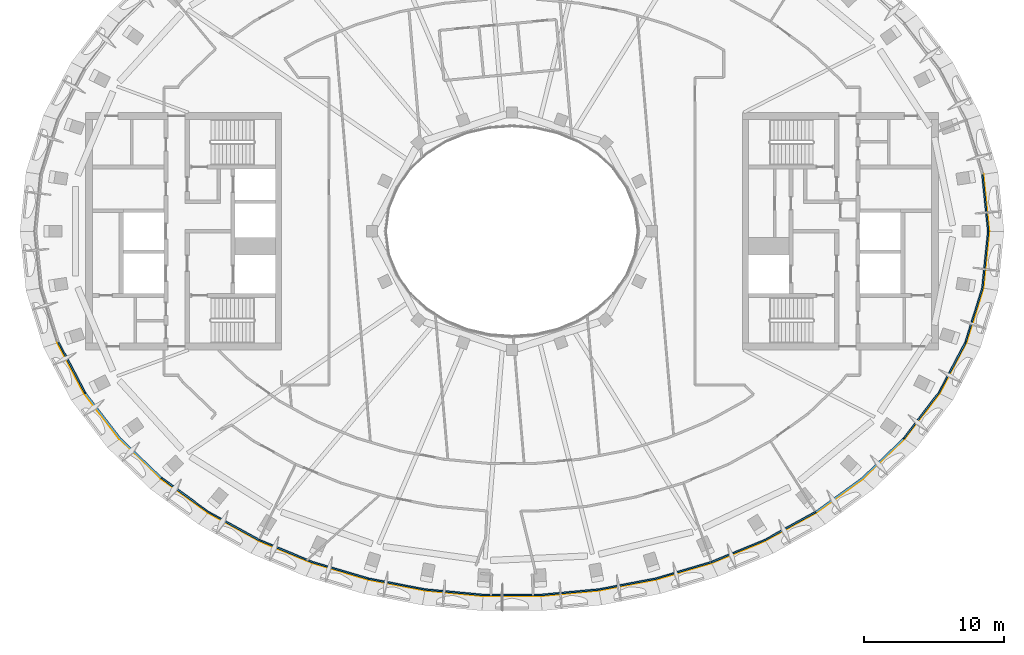
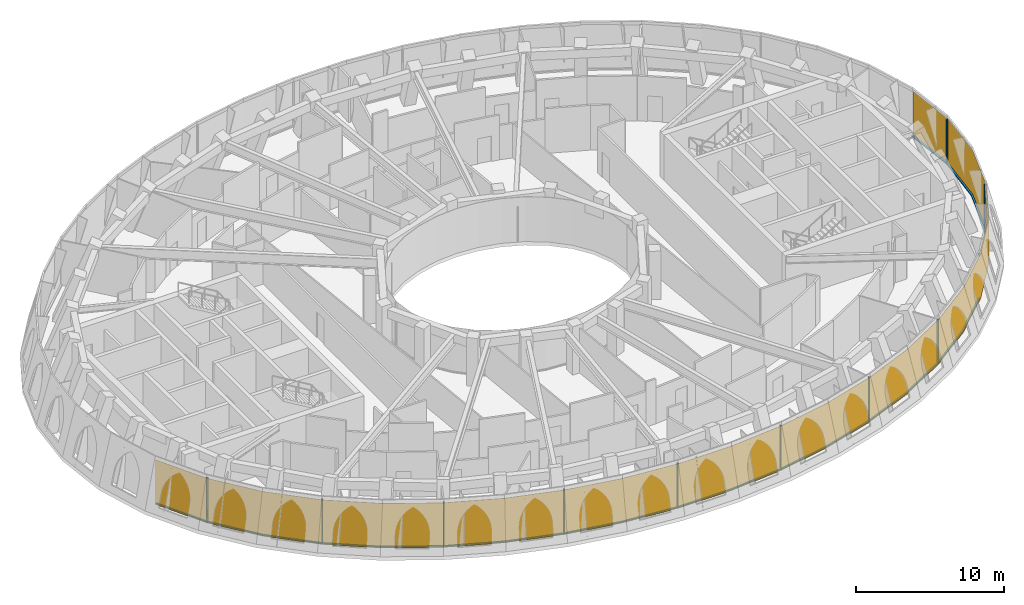
# One storey, part 8 of 14: 23 members, 1 curtain wall.
"""IFC4 building model written with IfcOpenShell, lengths in metres."""

from ifc_helpers import new_model, si_unit, direction, frame, origin, origin_2d, place, context, subcontext, project, spatial, polyline, rectangle, outline, extrude, material, layer, layer_set, material_profile, profile_set, type_object, element, aggregate, save


model = new_model("IFC4")

# Units and contexts
model_context = context("Model", 3, precision=1e-05, world=origin(), true_north=direction((0.0, 1.0)))
body_context = subcontext(model_context, "Body", "Model", "MODEL_VIEW")
ifc_project = project(units=[si_unit("LENGTHUNIT", "METRE"), si_unit("AREAUNIT", "SQUARE_METRE"), si_unit("VOLUMEUNIT", "CUBIC_METRE"), si_unit("PLANEANGLEUNIT", "RADIAN"), si_unit("MASSUNIT", "GRAM", prefix="KILO")], contexts=[model_context])

# Member
ifc_material_1 = material(Name="Aluminium 6063-T6 black anodised", Category="aluminium")
ifc_material_profile = material_profile(ifc_material_1, rectangle(XDim=0.1201171875, YDim=0.06005859375, at=origin_2d()), Name="120x60")
ifc_profile_set = profile_set([ifc_material_profile], Name="Aluminium 6063-T6 black anodised")
member_type_1 = type_object("IfcMemberType", Name="ENV-MULLION-H-120", PredefinedType="MULLION", material=ifc_profile_set)
site_placement = place(None, origin())
building_placement = place(site_placement, origin())
storey_placement = place(building_placement, frame((0.0, 0.0, 339.0)))
member_1_placement = place(storey_placement, frame((-30.527099609375, -11.566650390625, 0.0), z_axis=(0.0, 0.0, 1.0), x_axis=(0.841094622177, 0.540888007396, 0.0)))
member_1 = element("IfcMember", 1, at=member_1_placement, type_object=member_type_1, Name="Mullion H radial 27", PredefinedType="MULLION", context=body_context, shape_type="SweptSolid", body=[
    extrude(rectangle(XDim=0.1201171875, YDim=0.06005859375, at=origin_2d()), origin(), (0.0, 0.0, 1.0), 3.699951171875),
])

member_2_placement = place(storey_placement, frame((-25.0498046875, -17.66357421875, 0.0), z_axis=(0.0, 0.0, 1.0), x_axis=(0.640649869791, 0.767833148761, 0.0)))
member_2 = element("IfcMember", 2, at=member_2_placement, type_object=member_type_1, Name="Mullion H radial 29", PredefinedType="MULLION", context=body_context, shape_type="SweptSolid", body=[
    extrude(rectangle(XDim=0.1201171875, YDim=0.06005859375, at=origin_2d()), origin(), (0.0, 0.0, 1.0), 3.699951171875),
])

member_3_placement = place(storey_placement, frame((-18.09033203125, -22.0859375, 0.0), z_axis=(0.0, 0.0, 1.0), x_axis=(0.433784978375, 0.901016421902, 0.0)))
member_3 = element("IfcMember", 3, at=member_3_placement, type_object=member_type_1, Name="Mullion H radial 31", PredefinedType="MULLION", context=body_context, shape_type="SweptSolid", body=[
    extrude(rectangle(XDim=0.1201171875, YDim=0.06005859375, at=origin_2d()), origin(), (0.0, 0.0, 1.0), 3.699951171875),
])

member_4_placement = place(storey_placement, frame((-10.28759765625, -24.848388671875, 0.0), z_axis=(0.0, 0.0, 1.0), x_axis=(0.236328573501, 0.971673198842, 0.0)))
member_4 = element("IfcMember", 4, at=member_4_placement, type_object=member_type_1, Name="Mullion H radial 33", PredefinedType="MULLION", context=body_context, shape_type="SweptSolid", body=[
    extrude(rectangle(XDim=0.1201171875, YDim=0.06005859375, at=origin_2d()), origin(), (0.0, 0.0, 1.0), 3.699951171875),
])

member_5_placement = place(storey_placement, frame((-2.07666015625, -26.01708984375, 0.0), z_axis=(0.0, 0.0, 1.0), x_axis=(0.046829801895, 0.998902882994, 0.0)))
member_5 = element("IfcMember", 5, at=member_5_placement, type_object=member_type_1, Name="Mullion H radial 35", PredefinedType="MULLION", context=body_context, shape_type="SweptSolid", body=[
    extrude(rectangle(XDim=0.1201171875, YDim=0.06005859375, at=origin_2d()), origin(), (0.0, 0.0, 1.0), 3.699951171875),
])

member_6_placement = place(storey_placement, frame((6.2109375, -25.628662109375, 0.0), z_axis=(0.0, 0.0, 1.0), x_axis=(-0.140930977434, 0.99001942385, 0.0)))
member_6 = element("IfcMember", 6, at=member_6_placement, type_object=member_type_1, Name="Mullion H radial 37", PredefinedType="MULLION", context=body_context, shape_type="SweptSolid", body=[
    extrude(rectangle(XDim=0.1201171875, YDim=0.06005859375, at=origin_2d()), origin(), (0.0, 0.0, 1.0), 3.699951171875),
])

member_7_placement = place(storey_placement, frame((14.263671875, -23.670166015625, 0.0), z_axis=(0.0, 0.0, 1.0), x_axis=(-0.333774757035, 0.942652858462, 0.0)))
member_7 = element("IfcMember", 7, at=member_7_placement, type_object=member_type_1, Name="Mullion H radial 39", PredefinedType="MULLION", context=body_context, shape_type="SweptSolid", body=[
    extrude(rectangle(XDim=0.1201171875, YDim=0.06005859375, at=origin_2d()), origin(), (0.0, 0.0, 1.0), 3.699951171875),
])

member_8_placement = place(storey_placement, frame((21.70947265625, -20.0859375, 0.0), z_axis=(0.0, 0.0, 1.0), x_axis=(-0.536384200715, 0.843973926862, 0.0)))
member_8 = element("IfcMember", 8, at=member_8_placement, type_object=member_type_1, Name="Mullion H radial 41", PredefinedType="MULLION", context=body_context, shape_type="SweptSolid", body=[
    extrude(rectangle(XDim=0.1201171875, YDim=0.06005859375, at=origin_2d()), origin(), (0.0, 0.0, 1.0), 3.699951171875),
])

member_9_placement = place(storey_placement, frame((28.02392578125, -14.818603515625, 0.0), z_axis=(0.0, 0.0, 1.0), x_axis=(-0.743973057625, 0.668209614962, 0.0)))
member_9 = element("IfcMember", 9, at=member_9_placement, type_object=member_type_1, Name="Mullion H radial 43", PredefinedType="MULLION", context=body_context, shape_type="SweptSolid", body=[
    extrude(rectangle(XDim=0.1201171875, YDim=0.06005859375, at=origin_2d()), origin(), (0.0, 0.0, 1.0), 3.699951171875),
])

member_10_placement = place(storey_placement, frame((32.441650390625, -7.950927734375, 0.0), z_axis=(0.0, 0.0, 1.0), x_axis=(-0.923415426991, 0.383801966118, 0.0)))
member_10 = element("IfcMember", 10, at=member_10_placement, type_object=member_type_1, Name="Mullion H radial 45", PredefinedType="MULLION", context=body_context, shape_type="SweptSolid", body=[
    extrude(rectangle(XDim=0.1201171875, YDim=0.06005859375, at=origin_2d()), origin(), (0.0, 0.0, 1.0), 3.699951171875),
])

member_11_placement = place(storey_placement, frame((34.065673828125, 0.0, 0.0), z_axis=(0.0, 0.0, 1.0), x_axis=(-1.0, 0.0, 0.0)))
member_11 = element("IfcMember", 11, at=member_11_placement, type_object=member_type_1, Name="Mullion H radial 01", PredefinedType="MULLION", context=body_context, shape_type="SweptSolid", body=[
    extrude(rectangle(XDim=0.1201171875, YDim=0.06005859375, at=origin_2d()), origin(), (0.0, 0.0, 1.0), 3.699951171875),
])

ifc_material_2 = material(Name="Aluminium 6063-T6 black anodised", Category="aluminium")
member_type_2 = type_object("IfcMemberType", Name="ENV-TRANSOM-H", PredefinedType="USERDEFINED", material=ifc_material_2)
member_12_placement = place(storey_placement, origin())
member_12 = element("IfcMember", 12, at=member_12_placement, type_object=member_type_2, Name="Transom H radial 26-27", ObjectType="TRANSOM", PredefinedType="USERDEFINED", context=body_context, shape_type="SweptSolid", body=[
    extrude(outline(polyline([(-32.496826171875, -7.973876953125), (-30.590576171875, -11.574462890625), (-30.4892578125, -11.50927734375), (-32.385498046875, -7.927734375), (-32.496826171875, -7.973876953125)])), origin(), (0.0, 0.0, 1.0), 0.10009765625),
])

member_13_placement = place(storey_placement, origin())
member_13 = element("IfcMember", 13, at=member_13_placement, type_object=member_type_2, Name="Transom H radial 27-29", ObjectType="TRANSOM", PredefinedType="USERDEFINED", context=body_context, shape_type="SweptSolid", body=[
    extrude(outline(polyline([(-30.560302734375, -11.621337890625), (-28.068359375, -14.858642578125), (-25.1083984375, -17.690185546875), (-25.031494140625, -17.597900390625), (-27.97900390625, -14.7783203125), (-30.458984375, -11.55615234375), (-30.560302734375, -11.621337890625)])), origin(), (0.0, 0.0, 1.0), 0.10009765625),
])

member_14_placement = place(storey_placement, origin())
member_14 = element("IfcMember", 14, at=member_14_placement, type_object=member_type_2, Name="Transom H radial 29-31", ObjectType="TRANSOM", PredefinedType="USERDEFINED", context=body_context, shape_type="SweptSolid", body=[
    extrude(outline(polyline([(-25.0654296875, -17.72607421875), (-21.74169921875, -20.136474609375), (-18.140869140625, -22.126220703125), (-18.0888671875, -22.01806640625), (-21.67724609375, -20.03515625), (-24.988525390625, -17.633544921875), (-25.0654296875, -17.72607421875)])), origin(), (0.0, 0.0, 1.0), 0.10009765625),
])

member_15_placement = place(storey_placement, origin())
member_15 = element("IfcMember", 15, at=member_15_placement, type_object=member_type_2, Name="Transom H radial 31-33", ObjectType="TRANSOM", PredefinedType="USERDEFINED", context=body_context, shape_type="SweptSolid", body=[
    extrude(outline(polyline([(-18.090576171875, -22.150634765625), (-14.28369140625, -23.726806640625), (-10.32861328125, -24.898681640625), (-10.300048828125, -24.781982421875), (-14.243408203125, -23.613525390625), (-18.038330078125, -22.042236328125), (-18.090576171875, -22.150634765625)])), origin(), (0.0, 0.0, 1.0), 0.10009765625),
])

member_16_placement = place(storey_placement, origin())
member_16 = element("IfcMember", 16, at=member_16_placement, type_object=member_type_2, Name="Transom H radial 33-35", ObjectType="TRANSOM", PredefinedType="USERDEFINED", context=body_context, shape_type="SweptSolid", body=[
    extrude(outline(polyline([(-10.274169921875, -24.911865234375), (-6.219482421875, -25.68798828125), (-2.107421875, -26.074462890625), (-2.101806640625, -25.954345703125), (-6.202392578125, -25.569091796875), (-10.245849609375, -24.795166015625), (-10.274169921875, -24.911865234375)])), origin(), (0.0, 0.0, 1.0), 0.10009765625),
])

member_17_placement = place(storey_placement, origin())
member_17 = element("IfcMember", 17, at=member_17_placement, type_object=member_type_2, Name="Transom H radial 35-37", ObjectType="TRANSOM", PredefinedType="USERDEFINED", context=body_context, shape_type="SweptSolid", body=[
    extrude(outline(polyline([(-2.051513671875, -26.076904296875), (2.079345703125, -26.076904296875), (6.191650390625, -25.690673828125), (6.174560546875, -25.571533203125), (2.07373046875, -25.95703125), (-2.0458984375, -25.95703125), (-2.051513671875, -26.076904296875)])), origin(), (0.0, 0.0, 1.0), 0.10009765625),
])

member_18_placement = place(storey_placement, origin())
member_18 = element("IfcMember", 18, at=member_18_placement, type_object=member_type_2, Name="Transom H radial 37-39", ObjectType="TRANSOM", PredefinedType="USERDEFINED", context=body_context, shape_type="SweptSolid", body=[
    extrude(outline(polyline([(6.246826171875, -25.6826171875), (10.3017578125, -24.906494140625), (14.2568359375, -23.734619140625), (14.216552734375, -23.621337890625), (10.273193359375, -24.789794921875), (6.22998046875, -25.563720703125), (6.246826171875, -25.6826171875)])), origin(), (0.0, 0.0, 1.0), 0.10009765625),
])

member_19_placement = place(storey_placement, origin())
member_19 = element("IfcMember", 19, at=member_19_placement, type_object=member_type_2, Name="Transom H radial 39-41", ObjectType="TRANSOM", PredefinedType="USERDEFINED", context=body_context, shape_type="SweptSolid", body=[
    extrude(outline(polyline([(14.3095703125, -23.716064453125), (18.116455078125, -22.139892578125), (21.71728515625, -20.150146484375), (21.652587890625, -20.048583984375), (18.064208984375, -22.031494140625), (14.269287109375, -23.602783203125), (14.3095703125, -23.716064453125)])), origin(), (0.0, 0.0, 1.0), 0.10009765625),
])

member_20_placement = place(storey_placement, origin())
member_20 = element("IfcMember", 20, at=member_20_placement, type_object=member_type_2, Name="Transom H radial 41-43", ObjectType="TRANSOM", PredefinedType="USERDEFINED", context=body_context, shape_type="SweptSolid", body=[
    extrude(outline(polyline([(21.764404296875, -20.1201171875), (25.088134765625, -17.70947265625), (28.048095703125, -14.8779296875), (27.958740234375, -14.797607421875), (25.010986328125, -17.6171875), (21.699951171875, -20.0185546875), (21.764404296875, -20.1201171875)])), origin(), (0.0, 0.0, 1.0), 0.10009765625),
])

member_21_placement = place(storey_placement, origin())
member_21 = element("IfcMember", 21, at=member_21_placement, type_object=member_type_2, Name="Transom H radial 43-45", ObjectType="TRANSOM", PredefinedType="USERDEFINED", context=body_context, shape_type="SweptSolid", body=[
    extrude(outline(polyline([(28.08544921875, -14.83642578125), (30.577392578125, -11.59912109375), (32.48388671875, -7.998779296875), (32.37255859375, -7.952392578125), (30.47607421875, -11.533935546875), (27.99609375, -14.756103515625), (28.08544921875, -14.83642578125)])), origin(), (0.0, 0.0, 1.0), 0.10009765625),
])

member_22_placement = place(storey_placement, origin())
member_22 = element("IfcMember", 22, at=member_22_placement, type_object=member_type_2, Name="Transom H radial 45-01", ObjectType="TRANSOM", PredefinedType="USERDEFINED", context=body_context, shape_type="SweptSolid", body=[
    extrude(outline(polyline([(32.505126953125, -7.947265625), (33.709716796875, -4.0654296875), (34.12255859375, -0.02783203125), (34.001953125, -0.02783203125), (33.591552734375, -4.041259765625), (32.393798828125, -7.90087890625), (32.505126953125, -7.947265625)])), origin(), (0.0, 0.0, 1.0), 0.10009765625),
])

member_23_placement = place(storey_placement, origin())
member_23 = element("IfcMember", 23, at=member_23_placement, type_object=member_type_2, Name="Transom H radial 01-02", ObjectType="TRANSOM", PredefinedType="USERDEFINED", context=body_context, shape_type="SweptSolid", body=[
    extrude(outline(polyline([(34.12255859375, 0.02783203125), (33.709716796875, 4.0654296875), (33.591552734375, 4.041259765625), (34.001953125, 0.02783203125), (34.12255859375, 0.02783203125)])), origin(), (0.0, 0.0, 1.0), 0.10009765625),
])

# Site, building, storey
site = spatial("IfcSite", under=ifc_project, at=site_placement, CompositionType="ELEMENT")
building = spatial("IfcBuilding", under=site, at=building_placement, Name="Noorbagh Ring Tower", CompositionType="ELEMENT")
storey = spatial("IfcBuildingStorey", under=building, at=storey_placement, Name="L74", CompositionType="ELEMENT", Elevation=339.0)

# Curtain wall
ifc_material_3 = material(Name="Glass dark tinted laminated", Category="glass")
ifc_layer = layer(ifc_material_3, 0.031982421875)
ifc_layer_set = layer_set([ifc_layer], Name="Glass dark tinted laminated")
curtain_wall_type = type_object("IfcCurtainWallType", Name="ENV-CW-H", PredefinedType="NOTDEFINED", material=ifc_layer_set)
curtain_wall_placement = place(storey_placement, origin())
curtain_wall = element("IfcCurtainWall", 24, at=curtain_wall_placement, inside=storey, type_object=curtain_wall_type, Name="Curtain wall H R26", PredefinedType="NOTDEFINED", context=body_context, shape_type="SweptSolid", body=[
    extrude(outline(polyline([(-32.526611328125, -7.986328125), (-30.6044921875, -11.616455078125), (-28.09228515625, -14.880126953125), (-25.108642578125, -17.734130859375), (-21.7587890625, -20.16357421875), (-18.13037109375, -22.168701171875), (-14.294189453125, -23.757080078125), (-10.30908203125, -24.937744140625), (-6.22412109375, -25.7197265625), (-2.080810546875, -26.10888671875), (2.080810546875, -26.10888671875), (6.22412109375, -25.7197265625), (10.30908203125, -24.937744140625), (14.294189453125, -23.757080078125), (18.13037109375, -22.168701171875), (21.7587890625, -20.16357421875), (25.108642578125, -17.734130859375), (28.09228515625, -14.880126953125), (30.6044921875, -11.616455078125), (32.526611328125, -7.986328125), (33.7412109375, -4.07177734375), (34.15771484375, 0.0), (33.7412109375, 4.07177734375), (33.709716796875, 4.0654296875), (34.12548828125, 0.0), (33.709716796875, -4.0654296875), (32.496826171875, -7.973876953125), (30.577392578125, -11.59912109375), (28.068359375, -14.858642578125), (25.088134765625, -17.70947265625), (21.74169921875, -20.136474609375), (18.116455078125, -22.139892578125), (14.28369140625, -23.726806640625), (10.3017578125, -24.906494140625), (6.219482421875, -25.68798828125), (2.079345703125, -26.076904296875), (-2.079345703125, -26.076904296875), (-6.219482421875, -25.68798828125), (-10.3017578125, -24.906494140625), (-14.28369140625, -23.726806640625), (-18.116455078125, -22.139892578125), (-21.74169921875, -20.136474609375), (-25.088134765625, -17.70947265625), (-28.068359375, -14.858642578125), (-30.577392578125, -11.59912109375), (-32.496826171875, -7.973876953125), (-32.526611328125, -7.986328125)])), origin(), (0.0, 0.0, 1.0), 3.699951171875),
])

aggregate(curtain_wall, [member_1, member_2, member_3, member_4, member_5, member_6, member_7, member_8, member_9, member_10, member_11, member_12, member_13, member_14, member_15, member_16, member_17, member_18, member_19, member_20, member_21, member_22, member_23])

save(model, "model.ifc")
